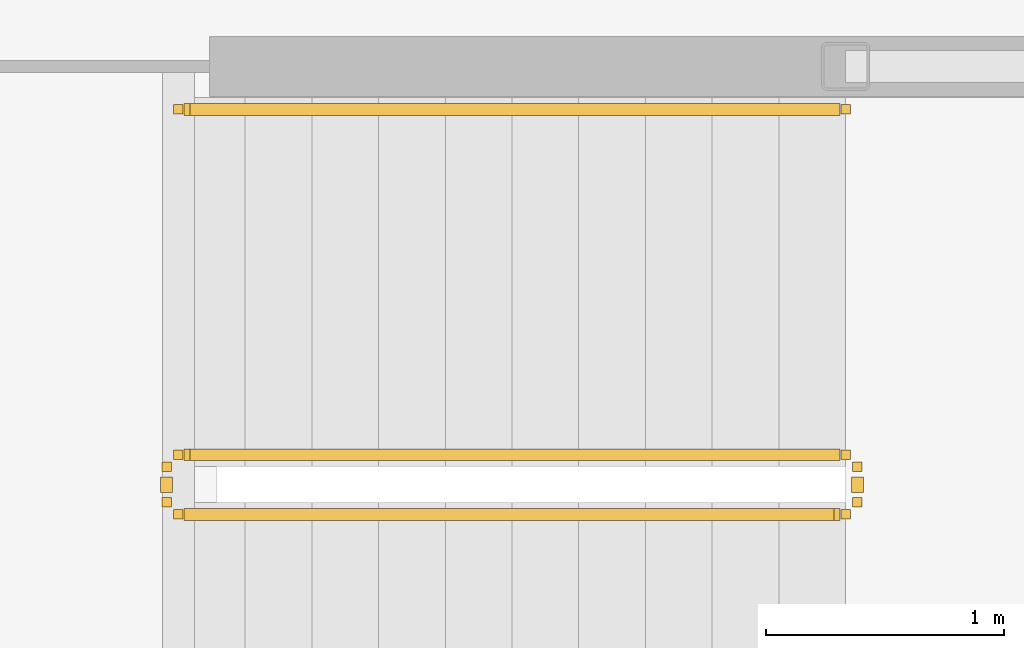
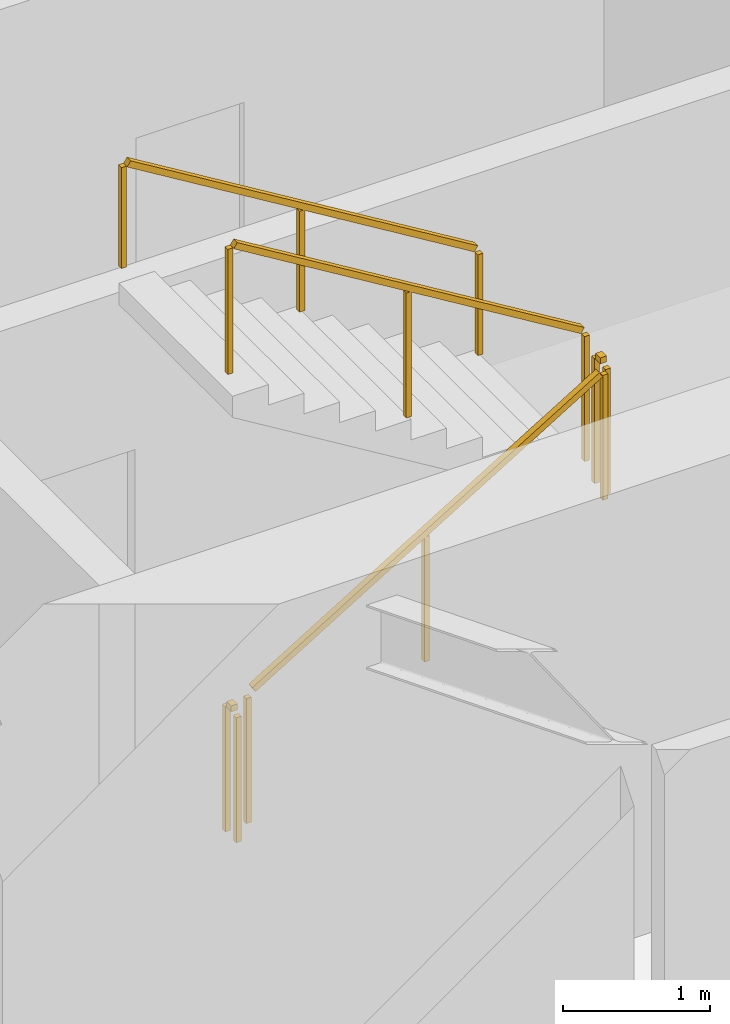
# One storey, part 20 of 23: 5 railings.
"""IFC4 building model written with IfcOpenShell, lengths in metres."""

import ifcopenshell
import ifcopenshell.guid

model = None  # the IFC model being written
_history = None  # IfcOwnerHistory: only IFC2X3 demands one
_inside = {}  # id of a spatial element -> (the spatial element, [elements in it])
_under = {}  # id of a project, library or spatial element -> (it, [spatial elements below it])
_declared = {}  # id of a project -> (the project, [libraries it declares])
_typed = {}  # id of a type object -> (the type object, [elements of that type])
_made_of = {}  # id of a material, layer set ... -> (it, [elements and type objects made of it])


def new_model(schema):
    """Start an empty IFC model of exactly this schema.

    Asked for "IFC4X3", IfcOpenShell would pick the latest addendum, in which some entities
    have other attributes; the version numbers below select the first issue.
    IFC2X3 requires an IfcOwnerHistory on every rooted entity: one is made here for all.
    """
    global model, _history
    if schema == "IFC4X3":
        model = ifcopenshell.file(schema_version=(4, 3, 0, 0))
    else:
        model = ifcopenshell.file(schema=schema)
    _inside.clear()
    _under.clear()
    _declared.clear()
    _typed.clear()
    _made_of.clear()
    _history = None
    if model.schema == "IFC2X3":
        org = make("IfcOrganization", Name="unknown")
        user = make(
            "IfcPersonAndOrganization",
            ThePerson=make("IfcPerson", FamilyName="unknown"),
            TheOrganization=org,
        )
        app = make(
            "IfcApplication",
            ApplicationDeveloper=org,
            Version="unknown",
            ApplicationFullName="unknown",
            ApplicationIdentifier="unknown",
        )
        _history = make(
            "IfcOwnerHistory",
            OwningUser=user,
            OwningApplication=app,
            ChangeAction="ADDED",
            CreationDate=0,
        )
    return model


def make(cls, **values):
    """One entity of the class cls with the attributes given. An attribute that is None is left unset."""
    return model.create_entity(
        cls, **{name: value for name, value in values.items() if value is not None}
    )


def rooted(cls, **values):
    """An entity with a GlobalId (a new one), such as an element, a storey or a relation."""
    return make(cls, GlobalId=ifcopenshell.guid.new(), OwnerHistory=_history, **values)


def si_unit(unit_type, name, prefix=None):
    """IfcSIUnit, for example si_unit("LENGTHUNIT", "METRE", prefix="MILLI")."""
    return make("IfcSIUnit", UnitType=unit_type, Prefix=prefix, Name=name)


def assignment(units):
    """IfcUnitAssignment: the units of a project."""
    return None if units is None else make("IfcUnitAssignment", Units=units)


def point(xyz):
    """IfcCartesianPoint."""
    return None if xyz is None else make("IfcCartesianPoint", Coordinates=xyz)


def direction(xyz):
    """IfcDirection."""
    return None if xyz is None else make("IfcDirection", DirectionRatios=xyz)


def frame(location, z_axis=None, x_axis=None):
    """IfcAxis2Placement3D, a coordinate frame: its origin and axes. An axis left out is left unset."""
    return make(
        "IfcAxis2Placement3D",
        Location=point(location),
        Axis=direction(z_axis),
        RefDirection=direction(x_axis),
    )


def frame_2d(location, x_axis=None):
    """IfcAxis2Placement2D, a coordinate frame in the plane: its origin and x axis."""
    return make(
        "IfcAxis2Placement2D", Location=point(location), RefDirection=direction(x_axis)
    )


def origin():
    """The frame at (0, 0, 0) with its axes left unset."""
    return frame((0.0, 0.0, 0.0))


def origin_2d():
    """The frame at (0, 0) in the plane with its x axis left unset."""
    return frame_2d((0.0, 0.0))


def place(relative_to, where):
    """IfcLocalPlacement: puts the frame where relative to a parent placement (None: the world)."""
    return make(
        "IfcLocalPlacement", PlacementRelTo=relative_to, RelativePlacement=where
    )


def context(
    kind, dimensions, precision=None, world=None, true_north=None, identifier=None
):
    """IfcGeometricRepresentationContext, for example the 3D "Model" context."""
    return make(
        "IfcGeometricRepresentationContext",
        ContextIdentifier=identifier,
        ContextType=kind,
        CoordinateSpaceDimension=dimensions,
        Precision=precision,
        WorldCoordinateSystem=world,
        TrueNorth=true_north,
    )


def subcontext(parent, identifier, kind, view, scale=None):
    """IfcGeometricRepresentationSubContext, for example "Body" below "Model"."""
    return make(
        "IfcGeometricRepresentationSubContext",
        ContextIdentifier=identifier,
        ContextType=kind,
        ParentContext=parent,
        TargetScale=scale,
        TargetView=view,
    )


def project(units=None, contexts=None):
    """IfcProject with its units and contexts."""
    return rooted(
        "IfcProject",
        Name="project",
        RepresentationContexts=contexts,
        UnitsInContext=assignment(units),
    )


def spatial(cls, under=None, at=None, **own):
    """A site, building, storey or space (cls), placed at a placement, below another one or the project."""
    s = rooted(cls, ObjectPlacement=at, **own)
    if under is not None:
        _under.setdefault(under.id(), (under, []))[1].append(s)
    return s


def profile(cls, at=None, kind="AREA", **sizes):
    """A parametric profile (cls). Its sizes go by their IFC names, for example OverallWidth=200.0."""
    return make(cls, ProfileType=kind, Position=at, **sizes)


def rectangle(**sizes):
    """IfcRectangleProfileDef."""
    return profile("IfcRectangleProfileDef", **sizes)


def extrude(swept, where, along, depth):
    """IfcExtrudedAreaSolid: the profile swept, set in the frame where, extruded along a direction by depth."""
    return make(
        "IfcExtrudedAreaSolid",
        SweptArea=swept,
        Position=where,
        ExtrudedDirection=direction(along),
        Depth=depth,
    )


def shape(context_of_items, identifier, shape_type, items):
    """IfcShapeRepresentation: the items that make up one representation, for example the "Body"."""
    return make(
        "IfcShapeRepresentation",
        ContextOfItems=context_of_items,
        RepresentationIdentifier=identifier,
        RepresentationType=shape_type,
        Items=items,
    )


def material(Name=None, Category=None):
    """IfcMaterial."""
    return make("IfcMaterial", Name=Name, Category=Category)


def made_of(thing, what):
    """Note that an element or type object is made of a material, layer set ...; save() writes the relation."""
    if what is not None:
        _made_of.setdefault(what.id(), (what, []))[1].append(thing)
    return thing


def type_object(cls, material=None, **own):
    """A type object (cls), such as IfcWallType, which elements share."""
    return made_of(rooted(cls, **own), material)


def element(
    cls,
    number,
    at=None,
    inside=None,
    cuts=None,
    type_object=None,
    material=None,
    context=None,
    identifier="Body",
    shape_type=None,
    held_by="IfcProductDefinitionShape",
    body=None,
    shapes=None,
    **own,
):
    """One element of the class cls, such as IfcWall. Its Tag is "e" and its number.

    at: its placement. inside: the storey or other place that contains it. cuts: it is an
    opening in that element (IfcRelVoidsElement). A single representation is given by context,
    identifier, shape_type and body (its items); several are given by shapes. held_by: the class
    of the entity that holds the representations. save() writes the other relations.
    """
    e = rooted(cls, Tag="e%d" % number, ObjectPlacement=at, **own)
    if body is not None:
        shapes = [shape(context, identifier, shape_type, body)]
    if shapes is not None:
        e.Representation = make(held_by, Representations=shapes)
    if inside is not None:
        _inside.setdefault(inside.id(), (inside, []))[1].append(e)
    if cuts is not None:
        rooted(
            "IfcRelVoidsElement", RelatingBuildingElement=cuts, RelatedOpeningElement=e
        )
    if type_object is not None:
        _typed.setdefault(type_object.id(), (type_object, []))[1].append(e)
    return made_of(e, material)


def aggregate(whole, parts):
    """IfcRelAggregates: a whole, such as a stair, and the parts it consists of."""
    return rooted("IfcRelAggregates", RelatingObject=whole, RelatedObjects=parts)


def save(model, path):
    """Write the relations noted so far, then the file.

    IfcRelAggregates (storeys below a building ...), IfcRelContainedInSpatialStructure (elements
    in a storey), IfcRelDefinesByType, IfcRelAssociatesMaterial and IfcRelDeclares: one each for
    every whole, place, type object, material and project.
    """
    for whole, parts in _under.values():
        aggregate(whole, parts)
    for where, things in _inside.values():
        rooted(
            "IfcRelContainedInSpatialStructure",
            RelatedElements=things,
            RelatingStructure=where,
        )
    for kind, things in _typed.values():
        rooted("IfcRelDefinesByType", RelatedObjects=things, RelatingType=kind)
    for what, things in _made_of.values():
        rooted("IfcRelAssociatesMaterial", RelatedObjects=things, RelatingMaterial=what)
    for by, libraries in _declared.values():
        rooted("IfcRelDeclares", RelatingContext=by, RelatedDefinitions=libraries)
    model.write(path)


model = new_model("IFC4")

# Units and contexts
model_context = context("Model", 3, precision=1e-05, world=origin(), true_north=direction((0.0, 1.0)))
body_context = subcontext(model_context, "Body", "Model", "MODEL_VIEW")
ifc_project = project(units=[si_unit("LENGTHUNIT", "METRE"), si_unit("AREAUNIT", "SQUARE_METRE"), si_unit("VOLUMEUNIT", "CUBIC_METRE"), si_unit("PLANEANGLEUNIT", "RADIAN"), si_unit("MASSUNIT", "GRAM", prefix="KILO")], contexts=[model_context])

# Site, building, storey
site_placement = place(None, origin())
site = spatial("IfcSite", under=ifc_project, at=site_placement, CompositionType="ELEMENT")
building_placement = place(site_placement, origin())
building = spatial("IfcBuilding", under=site, at=building_placement, Name="Kazma Halo Residences", CompositionType="ELEMENT")
storey_placement = place(building_placement, frame((0.0, 0.0, 82.64990234375)))
storey = spatial("IfcBuildingStorey", under=building, at=storey_placement, Name="L20", CompositionType="ELEMENT", Elevation=82.64990234375)

# Railings
ifc_material_1 = material(Name="Painted Steel S355", Category="steel")
railing_type_1 = type_object("IfcRailingType", Name="RLG-STAIR-GRD-1100", PredefinedType="GUARDRAIL", material=ifc_material_1)
railing_1_placement = place(storey_placement, frame((53.199951171875, 35.5, 0.170654296875)))
element("IfcRailing", 1, at=railing_1_placement, inside=storey, type_object=railing_type_1, Name="L20 ST-03 stair guard 1", PredefinedType="GUARDRAIL", context=body_context, shape_type="SweptSolid", body=[
    extrude(rectangle(XDim=0.050048828125, YDim=0.050048828125, at=origin_2d()), frame((0.036376953125, 0.0, 1.09716796875), z_axis=(0.854202870247, 0.0, 0.519939858505), x_axis=(0.0, 1.0, 0.0)), (0.0, 0.0, 1.0), 3.19287109375),
    extrude(rectangle(XDim=0.0400390625, YDim=0.0400390625, at=origin_2d()), origin(), (0.0, 0.0, 1.0), 1.0380859375),
    extrude(rectangle(XDim=0.0400390625, YDim=0.0400390625, at=origin_2d()), frame((1.39990234375, 0.0, 0.85205078125)), (0.0, 0.0, 1.0), 1.0380859375),
    extrude(rectangle(XDim=0.0400390625, YDim=0.0400390625, at=origin_2d()), frame((2.800048828125, 0.0, 1.704345703125)), (0.0, 0.0, 1.0), 1.0380859375),
])
railing_2_placement = place(storey_placement, frame((56.050048828125, 35.550048828125, 1.875)))
element("IfcRailing", 2, at=railing_2_placement, inside=storey, type_object=railing_type_1, Name="L20 ST-03 stair guard 2", PredefinedType="GUARDRAIL", context=body_context, shape_type="SweptSolid", body=[
    extrude(rectangle(XDim=0.050048828125, YDim=0.050048828125, at=origin_2d()), frame((0.0, 0.04248046875, 1.0751953125), z_axis=(0.0, 1.0, 0.0), x_axis=(-1.0, 0.0, 0.0)), (0.0, 0.0, 1.0), 0.06494140625),
    extrude(rectangle(XDim=0.0400390625, YDim=0.0400390625, at=origin_2d()), origin(), (0.0, 0.0, 1.0), 1.0380859375),
    extrude(rectangle(XDim=0.0400390625, YDim=0.0400390625, at=origin_2d()), frame((0.0, 0.14990234375, 0.0)), (0.0, 0.0, 1.0), 1.0380859375),
])
railing_3_placement = place(storey_placement, frame((56.0, 35.75, 2.045654296875)))
element("IfcRailing", 3, at=railing_3_placement, inside=storey, type_object=railing_type_1, Name="L20 ST-03 stair guard 3", PredefinedType="GUARDRAIL", context=body_context, shape_type="SweptSolid", body=[
    extrude(rectangle(XDim=0.050048828125, YDim=0.050048828125, at=origin_2d()), frame((-0.036376953125, 0.0, 1.09716796875), z_axis=(-0.854202870247, 0.0, 0.519939858505), x_axis=(0.0, -1.0, 0.0)), (0.0, 0.0, 1.0), 3.19287109375),
    extrude(rectangle(XDim=0.0400390625, YDim=0.0400390625, at=origin_2d()), origin(), (0.0, 0.0, 1.0), 1.0380859375),
    extrude(rectangle(XDim=0.0400390625, YDim=0.0400390625, at=origin_2d()), frame((-1.39990234375, 0.0, 0.85205078125)), (0.0, 0.0, 1.0), 1.0380859375),
    extrude(rectangle(XDim=0.0400390625, YDim=0.0400390625, at=origin_2d()), frame((-2.800048828125, 0.0, 1.704345703125)), (0.0, 0.0, 1.0), 1.0380859375),
])
railing_4_placement = place(storey_placement, frame((53.14990234375, 35.550048828125, 0.0)))
element("IfcRailing", 4, at=railing_4_placement, inside=storey, type_object=railing_type_1, Name="L20 ST-03 stair guard 4", PredefinedType="GUARDRAIL", context=body_context, shape_type="SweptSolid", body=[
    extrude(rectangle(XDim=0.050048828125, YDim=0.050048828125, at=origin_2d()), frame((0.0, 0.04248046875, 1.0751953125), z_axis=(0.0, 1.0, 0.0), x_axis=(-1.0, 0.0, 0.0)), (0.0, 0.0, 1.0), 0.06494140625),
    extrude(rectangle(XDim=0.0400390625, YDim=0.0400390625, at=origin_2d()), origin(), (0.0, 0.0, 1.0), 1.0380859375),
    extrude(rectangle(XDim=0.0400390625, YDim=0.0400390625, at=origin_2d()), frame((0.0, 0.14990234375, 0.0)), (0.0, 0.0, 1.0), 1.0380859375),
])
ifc_material_2 = material(Name="Brushed Stainless Steel", Category="steel")
railing_type_2 = type_object("IfcRailingType", Name="RLG-STAIR-HND-900", PredefinedType="HANDRAIL", material=ifc_material_2)
railing_5_placement = place(storey_placement, frame((56.0, 37.199951171875, 2.045654296875)))
element("IfcRailing", 5, at=railing_5_placement, inside=storey, type_object=railing_type_2, Name="L20 ST-03 stair handrail 2", PredefinedType="HANDRAIL", context=body_context, shape_type="SweptSolid", body=[
    extrude(rectangle(XDim=0.050048828125, YDim=0.050048828125, at=origin_2d()), frame((-0.036376953125, 0.0, 0.89697265625), z_axis=(-0.854202870247, 0.0, 0.519939858505), x_axis=(0.0, -1.0, 0.0)), (0.0, 0.0, 1.0), 3.19287109375),
    extrude(rectangle(XDim=0.0400390625, YDim=0.0400390625, at=origin_2d()), origin(), (0.0, 0.0, 1.0), 0.837890625),
    extrude(rectangle(XDim=0.0400390625, YDim=0.0400390625, at=origin_2d()), frame((-1.39990234375, 0.0, 0.85205078125)), (0.0, 0.0, 1.0), 0.837890625),
    extrude(rectangle(XDim=0.0400390625, YDim=0.0400390625, at=origin_2d()), frame((-2.800048828125, 0.0, 1.704345703125)), (0.0, 0.0, 1.0), 0.837890625),
])

save(model, "model.ifc")
